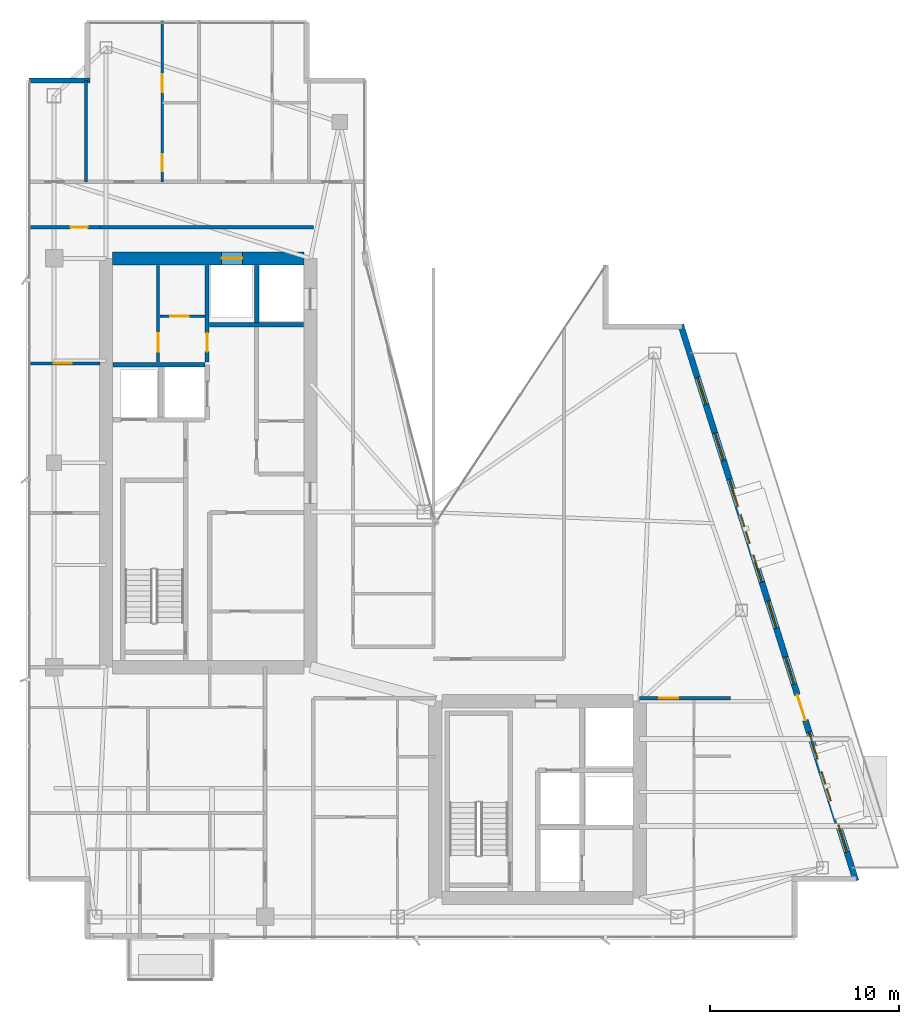
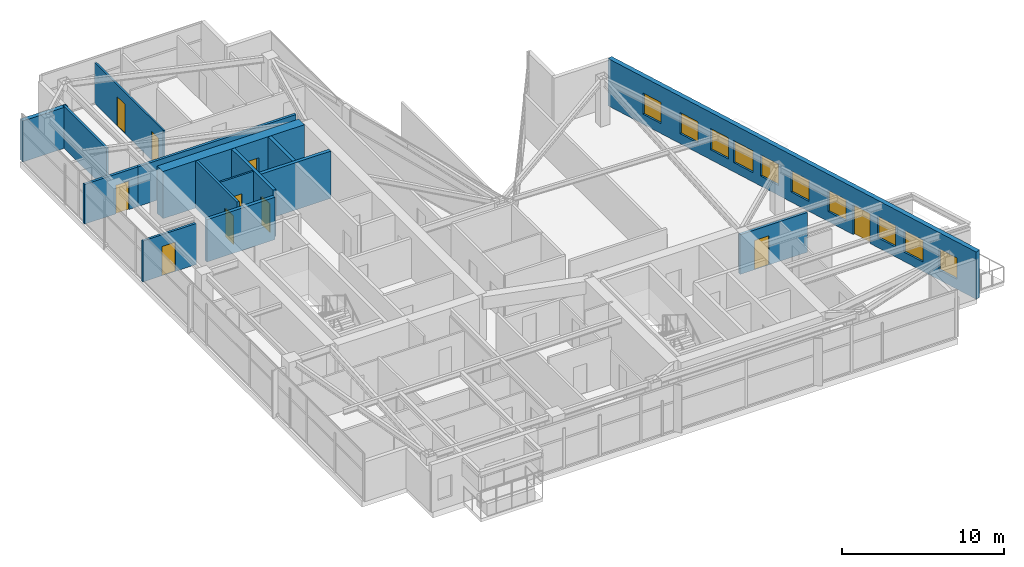
# One storey, part 25 of 28: 15 walls, 10 doors, 10 windows, 20 openings.
"""IFC4 building model written with IfcOpenShell, lengths in metres."""

from ifc_helpers import new_model, si_unit, direction, frame, frame_2d, origin, place, context, subcontext, project, spatial, rectangle, extrude, material, layer, layer_set, type_object, element, fill, save


model = new_model("IFC4")

# Units and contexts
model_context = context("Model", 3, precision=1e-05, world=origin(), true_north=direction((0.0, 1.0)))
body_context = subcontext(model_context, "Body", "Model", "MODEL_VIEW")
ifc_project = project(units=[si_unit("LENGTHUNIT", "METRE"), si_unit("AREAUNIT", "SQUARE_METRE"), si_unit("VOLUMEUNIT", "CUBIC_METRE"), si_unit("PLANEANGLEUNIT", "RADIAN"), si_unit("MASSUNIT", "GRAM", prefix="KILO")], contexts=[model_context])

# Site, building, storey
site_placement = place(None, origin())
site = spatial("IfcSite", under=ifc_project, at=site_placement, CompositionType="ELEMENT")
building_placement = place(site_placement, origin())
building = spatial("IfcBuilding", under=site, at=building_placement, Name="Calvorn Quay Hotel", CompositionType="ELEMENT")
storey_placement = place(building_placement, frame((0.0, 0.0, 263.5)))
storey = spatial("IfcBuildingStorey", under=building, at=storey_placement, Name="L65", CompositionType="ELEMENT", Elevation=263.5)

# Wall, opening, door
ifc_material_1 = material(Name="Concrete C45", Category="concrete")
ifc_layer_1 = layer(ifc_material_1, 0.699951171875)
ifc_layer_set_1 = layer_set([ifc_layer_1], Name="WL-CORE-700")
wall_type_1 = type_object("IfcWallType", Name="WL-CORE-700", PredefinedType="SHEAR", material=ifc_layer_set_1)
wall_1_placement = place(storey_placement, frame((4.550048828125, 38.39990234375, 0.0), z_axis=(0.0, 0.0, 1.0), x_axis=(1.0, 0.0, 0.0)))
wall_1 = element("IfcWall", 1, at=wall_1_placement, inside=storey, type_object=wall_type_1, Name="West Core Shear Wall N (L65)", PredefinedType="SHEAR", context=body_context, shape_type="SweptSolid", body=[
    extrude(rectangle(XDim=10.099853515625, YDim=0.699951171875, at=frame_2d((5.0498046875, 0.0))), origin(), (0.0, 0.0, 1.0), 3.56005859375),
])
opening_1_placement = place(wall_1_placement, frame((5.75, 0.0, 0.0)))
opening_1 = element("IfcOpeningElement", 2, at=opening_1_placement, cuts=wall_1, Name="Opening LD-L65-H2", PredefinedType="OPENING", context=body_context, shape_type="SweptSolid", body=[
    extrude(rectangle(XDim=1.10009765625, YDim=2.199951171875, at=frame_2d((0.550048828125, 1.10009765625))), frame((0.0, 0.35986328125, 0.0), z_axis=(0.0, -1.0, 0.0), x_axis=(1.0, 0.0, 0.0)), (0.0, 0.0, 1.0), 0.719970703125),
])
ifc_material_2 = material(Name="Brushed Stainless Steel Sliding Lift Landing Door", Category="steel")
door_type_1 = type_object("IfcDoorType", Name="DR-LIFT-PASS-1100", OperationType="NOTDEFINED", PredefinedType="DOOR", material=ifc_material_2)
door_1_placement = place(opening_1_placement, origin())
door_1 = element("IfcDoor", 3, at=door_1_placement, inside=storey, type_object=door_type_1, Name="High-Rise Lift PL-H2 Landing Door (L65)", OperationType="DOUBLE_DOOR_SLIDING", OverallHeight=2.199951171875, OverallWidth=1.10009765625, PredefinedType="DOOR", context=body_context, shape_type="SweptSolid", body=[
    extrude(rectangle(XDim=1.10009765625, YDim=2.199951171875, at=frame_2d((0.550048828125, 1.10009765625))), frame((0.0, 0.02490234375, 0.0), z_axis=(0.0, -1.0, 0.0), x_axis=(1.0, 0.0, 0.0)), (0.0, 0.0, 1.0), 0.050048828125),
])
fill(opening_1, door_1)

ifc_material_3 = material(Name="Acoustic Fireboard Steel-Stud Partition", Category="steel")
ifc_layer_2 = layer(ifc_material_3, 0.179931640625)
ifc_layer_set_2 = layer_set([ifc_layer_2], Name="WL-CORR-FIRE-180")
wall_type_2 = type_object("IfcWallType", Name="WL-CORR-FIRE-180", PredefinedType="PARTITIONING", material=ifc_layer_set_2)
wall_2_placement = place(storey_placement, frame((0.080078125, 40.050048828125, 0.0), z_axis=(0.0, 0.0, 1.0), x_axis=(1.0, 0.0, 0.0)))
wall_2 = element("IfcWall", 4, at=wall_2_placement, inside=storey, type_object=wall_type_2, Name="Partition Wall L65-WL-WBAY-N-DOOR", PredefinedType="PARTITIONING", context=body_context, shape_type="SweptSolid", body=[
    extrude(rectangle(XDim=3.7998046875, YDim=0.179931640625, at=frame_2d((1.89990234375, 0.0))), origin(), (0.0, 0.0, 1.0), 2.989990234375),
])
opening_2_placement = place(wall_2_placement, frame((2.25, 0.0, 0.0)))
opening_2 = element("IfcOpeningElement", 5, at=opening_2_placement, cuts=wall_2, Name="Opening D-L65-WBN", PredefinedType="OPENING", context=body_context, shape_type="SweptSolid", body=[
    extrude(rectangle(XDim=0.89990234375, YDim=2.14990234375, at=frame_2d((0.449951171875, 1.074951171875))), frame((0.0, 0.099853515625, 0.0), z_axis=(0.0, -1.0, 0.0), x_axis=(1.0, 0.0, 0.0)), (0.0, 0.0, 1.0), 0.199951171875),
])
ifc_material_4 = material(Name="Moisture-Sealed Timber En-Suite Door", Category="wood")
door_type_2 = type_object("IfcDoorType", Name="DR-ENSUITE-900", OperationType="NOTDEFINED", PredefinedType="DOOR", material=ifc_material_4)
door_2_placement = place(opening_2_placement, origin())
door_2 = element("IfcDoor", 6, at=door_2_placement, inside=storey, type_object=door_type_2, Name="West North Bay Door (L65)", OperationType="SINGLE_SWING_LEFT", OverallHeight=2.14990234375, OverallWidth=0.89990234375, PredefinedType="DOOR", context=body_context, shape_type="SweptSolid", body=[
    extrude(rectangle(XDim=0.89990234375, YDim=2.14990234375, at=frame_2d((0.449951171875, 1.074951171875))), frame((0.0, 0.02490234375, 0.0), z_axis=(0.0, -1.0, 0.0), x_axis=(1.0, 0.0, 0.0)), (0.0, 0.0, 1.0), 0.050048828125),
])
fill(opening_2, door_2)

# Wall
wall_3_placement = place(storey_placement, frame((3.830078125, 40.050048828125, 0.0), z_axis=(0.0, 0.0, 1.0), x_axis=(1.0, 0.0, 0.0)))
element("IfcWall", 7, at=wall_3_placement, inside=storey, type_object=wall_type_2, Name="Partition Wall L65-WL-W-SPUR-S", PredefinedType="PARTITIONING", context=body_context, shape_type="SweptSolid", body=[
    extrude(rectangle(XDim=11.31982421875, YDim=0.179931640625, at=frame_2d((5.659912109375, 0.0))), origin(), (0.0, 0.0, 1.0), 2.989990234375),
])

# Wall, opening, door
wall_4_placement = place(storey_placement, frame((32.39990234375, 15.14990234375, 0.0), z_axis=(0.0, 0.0, 1.0), x_axis=(1.0, 0.0, 0.0)))
wall_4 = element("IfcWall", 8, at=wall_4_placement, inside=storey, type_object=wall_type_2, Name="Partition Wall L65-WL-CORR-SE-S", PredefinedType="PARTITIONING", context=body_context, shape_type="SweptSolid", body=[
    extrude(rectangle(XDim=4.800048828125, YDim=0.179931640625, at=frame_2d((2.39990234375, 0.0))), origin(), (0.0, 0.0, 1.0), 2.989990234375),
])
opening_3_placement = place(wall_4_placement, frame((1.030029296875, 0.0, 0.0)))
opening_3 = element("IfcOpeningElement", 9, at=opening_3_placement, cuts=wall_4, Name="Opening D-L65-U06", PredefinedType="OPENING", context=body_context, shape_type="SweptSolid", body=[
    extrude(rectangle(XDim=1.02001953125, YDim=2.199951171875, at=frame_2d((0.510009765625, 1.10009765625))), frame((0.0, 0.099853515625, 0.0), z_axis=(0.0, -1.0, 0.0), x_axis=(1.0, 0.0, 0.0)), (0.0, 0.0, 1.0), 0.199951171875),
])
ifc_material_5 = material(Name="Solid-Core Walnut Veneer Hotel Fire Door")
door_type_3 = type_object("IfcDoorType", Name="DR-GUEST-ENTRY-1020", OperationType="NOTDEFINED", PredefinedType="DOOR", material=ifc_material_5)
door_3_placement = place(opening_3_placement, origin())
door_3 = element("IfcDoor", 10, at=door_3_placement, inside=storey, type_object=door_type_3, Name="South-East Unit Door U06 (L65)", OperationType="SINGLE_SWING_LEFT", OverallHeight=2.199951171875, OverallWidth=1.02001953125, PredefinedType="DOOR", context=body_context, shape_type="SweptSolid", body=[
    extrude(rectangle(XDim=1.02001953125, YDim=2.199951171875, at=frame_2d((0.510009765625, 1.10009765625))), frame((0.0, 0.02490234375, 0.0), z_axis=(0.0, -1.0, 0.0), x_axis=(1.0, 0.0, 0.0)), (0.0, 0.0, 1.0), 0.050048828125),
])
fill(opening_3, door_3)

ifc_material_6 = material(Name="Moisture-Resistant Tile-Backed Partition")
ifc_layer_3 = layer(ifc_material_6, 0.125)
ifc_layer_set_3 = layer_set([ifc_layer_3], Name="WL-ENSUITE-125")
wall_type_3 = type_object("IfcWallType", Name="WL-ENSUITE-125", PredefinedType="PARTITIONING", material=ifc_layer_set_3)
wall_5_placement = place(storey_placement, frame((7.050048828125, 35.35009765625, 0.0), z_axis=(0.0, 0.0, 1.0), x_axis=(1.0, 0.0, 0.0)))
wall_5 = element("IfcWall", 11, at=wall_5_placement, inside=storey, type_object=wall_type_3, Name="Partition Wall L65-WL-CWW-K-H", PredefinedType="PARTITIONING", context=body_context, shape_type="SweptSolid", body=[
    extrude(rectangle(XDim=2.369873046875, YDim=0.125, at=frame_2d((1.18505859375, 0.0))), origin(), (0.0, 0.0, 1.0), 3.56005859375),
])
opening_4_placement = place(wall_5_placement, frame((0.550048828125, 0.0, 0.0)))
opening_4 = element("IfcOpeningElement", 12, at=opening_4_placement, cuts=wall_5, Name="Opening D-L65-CK3", PredefinedType="OPENING", context=body_context, shape_type="SweptSolid", body=[
    extrude(rectangle(XDim=0.97998046875, YDim=2.14990234375, at=frame_2d((0.489990234375, 1.074951171875))), frame((0.0, 0.072509765625, 0.0), z_axis=(0.0, -1.0, 0.0), x_axis=(1.0, 0.0, 0.0)), (0.0, 0.0, 1.0), 0.14501953125),
])
ifc_material_7 = material(Name="Painted Steel Housekeeping/Riser Fire Door", Category="steel")
door_type_4 = type_object("IfcDoorType", Name="DR-SERVICE-980", OperationType="NOTDEFINED", PredefinedType="DOOR", material=ifc_material_7)
door_4_placement = place(opening_4_placement, origin())
door_4 = element("IfcDoor", 13, at=door_4_placement, inside=storey, type_object=door_type_4, Name="Telecom Closet Door (L65)", OperationType="SINGLE_SWING_RIGHT", OverallHeight=2.14990234375, OverallWidth=0.97998046875, PredefinedType="DOOR", context=body_context, shape_type="SweptSolid", body=[
    extrude(rectangle(XDim=0.97998046875, YDim=2.14990234375, at=frame_2d((0.489990234375, 1.074951171875))), frame((0.0, 0.02490234375, 0.0), z_axis=(0.0, -1.0, 0.0), x_axis=(1.0, 0.0, 0.0)), (0.0, 0.0, 1.0), 0.050048828125),
])
fill(opening_4, door_4)

# Wall, openings, doors
wall_6_placement = place(storey_placement, frame((7.169921875, 42.449951171875, 0.0), z_axis=(0.0, 0.0, 1.0), x_axis=(0.0, 1.0, 0.0)))
wall_6 = element("IfcWall", 14, at=wall_6_placement, inside=storey, type_object=wall_type_3, Name="Partition Wall L65-WL-U04-BV", PredefinedType="PARTITIONING", context=body_context, shape_type="SweptSolid", body=[
    extrude(rectangle(XDim=8.489990234375, YDim=0.125, at=frame_2d((4.2451171875, 0.0))), origin(), (0.0, 0.0, 1.0), 3.090087890625),
])
opening_5_placement = place(wall_6_placement, frame((0.550048828125, 0.0, 0.0)))
opening_5 = element("IfcOpeningElement", 15, at=opening_5_placement, cuts=wall_6, Name="Opening D-L65-E04", PredefinedType="OPENING", context=body_context, shape_type="SweptSolid", body=[
    extrude(rectangle(XDim=0.89990234375, YDim=2.14990234375, at=frame_2d((0.449951171875, 1.074951171875))), frame((0.0, 0.072509765625, 0.0), z_axis=(0.0, -1.0, 0.0), x_axis=(1.0, 0.0, 0.0)), (0.0, 0.0, 1.0), 0.14501953125),
])
opening_6_placement = place(wall_6_placement, frame((4.719970703125, 0.0, 0.0)))
opening_6 = element("IfcOpeningElement", 16, at=opening_6_placement, cuts=wall_6, Name="Opening D-L65-S04", PredefinedType="OPENING", context=body_context, shape_type="SweptSolid", body=[
    extrude(rectangle(XDim=0.9599609375, YDim=2.199951171875, at=frame_2d((0.47998046875, 1.10009765625))), frame((0.0, 0.072509765625, 0.0), z_axis=(0.0, -1.0, 0.0), x_axis=(1.0, 0.0, 0.0)), (0.0, 0.0, 1.0), 0.14501953125),
])
door_5_placement = place(opening_5_placement, origin())
door_5 = element("IfcDoor", 17, at=door_5_placement, inside=storey, type_object=door_type_2, Name="En-Suite Door 04", OperationType="SINGLE_SWING_LEFT", OverallHeight=2.14990234375, OverallWidth=0.89990234375, PredefinedType="DOOR", context=body_context, shape_type="SweptSolid", body=[
    extrude(rectangle(XDim=0.89990234375, YDim=2.14990234375, at=frame_2d((0.449951171875, 1.074951171875))), frame((0.0, 0.02490234375, 0.0), z_axis=(0.0, -1.0, 0.0), x_axis=(1.0, 0.0, 0.0)), (0.0, 0.0, 1.0), 0.050048828125),
])
fill(opening_5, door_5)
ifc_material_8 = material(Name="Solid Timber Internal Suite Door", Category="wood")
door_type_5 = type_object("IfcDoorType", Name="DR-SUITE-INT-960", OperationType="NOTDEFINED", PredefinedType="DOOR", material=ifc_material_8)
door_6_placement = place(opening_6_placement, origin())
door_6 = element("IfcDoor", 18, at=door_6_placement, inside=storey, type_object=door_type_5, Name="Harbour Dining Den Door 04", OperationType="SINGLE_SWING_RIGHT", OverallHeight=2.199951171875, OverallWidth=0.9599609375, PredefinedType="DOOR", context=body_context, shape_type="SweptSolid", body=[
    extrude(rectangle(XDim=0.9599609375, YDim=2.199951171875, at=frame_2d((0.47998046875, 1.10009765625))), frame((0.0, 0.02490234375, 0.0), z_axis=(0.0, -1.0, 0.0), x_axis=(1.0, 0.0, 0.0)), (0.0, 0.0, 1.0), 0.050048828125),
])
fill(opening_6, door_6)

# Wall
ifc_material_9 = material(Name="Concrete C40", Category="concrete")
ifc_layer_4 = layer(ifc_material_9, 0.320068359375)
ifc_layer_set_4 = layer_set([ifc_layer_4], Name="WL-EXT-SPANDREL-320")
wall_type_4 = type_object("IfcWallType", Name="WL-EXT-SPANDREL-320", PredefinedType="SOLIDWALL", material=ifc_layer_set_4)
wall_7_placement = place(storey_placement, frame((3.340087890625, 47.800048828125, 0.0), z_axis=(0.0, 0.0, 1.0), x_axis=(-1.0, 0.0, 0.0)))
element("IfcWall", 19, at=wall_7_placement, inside=storey, type_object=wall_type_4, Name="Notched Corner Spandrel L65-NW2", PredefinedType="SOLIDWALL", context=body_context, shape_type="SweptSolid", body=[
    extrude(rectangle(XDim=3.219970703125, YDim=0.280029296875, at=frame_2d((1.60986328125, 0.0))), origin(), (0.0, 0.0, 1.0), 3.090087890625),
])

# Wall, openings, door, windows
wall_8_placement = place(storey_placement, frame((43.830078125, 5.5048828125, 0.0), z_axis=(0.0, 0.0, 1.0), x_axis=(-0.300509063924, 0.953778958931, 0.0)))
wall_8 = element("IfcWall", 20, at=wall_8_placement, inside=storey, type_object=wall_type_4, Name="East Stepped Waterfront Exterior Wall (L65)", PredefinedType="SOLIDWALL", context=body_context, shape_type="SweptSolid", body=[
    extrude(rectangle(XDim=30.814453125, YDim=0.320068359375, at=frame_2d((15.4072265625, 0.0))), origin(), (0.0, 0.0, 1.0), 3.56005859375),
])
opening_7_placement = place(wall_8_placement, frame((8.89990234375, 0.0, 0.0)))
opening_7 = element("IfcOpeningElement", 21, at=opening_7_placement, cuts=wall_8, Name="Opening DTR-L65", PredefinedType="OPENING", context=body_context, shape_type="SweptSolid", body=[
    extrude(rectangle(XDim=1.39990234375, YDim=2.25, at=frame_2d((0.699951171875, 1.125))), frame((0.0, 0.169921875, 0.0), z_axis=(0.0, -1.0, 0.0), x_axis=(1.0, 0.0, 0.0)), (0.0, 0.0, 1.0), 0.340087890625),
])
opening_8_placement = place(wall_8_placement, frame((4.43701171875, 0.0, 0.699951171875)))
opening_8 = element("IfcOpeningElement", 22, at=opening_8_placement, cuts=wall_8, Name="Opening WHD-L65-1", PredefinedType="OPENING", context=body_context, shape_type="SweptSolid", body=[
    extrude(rectangle(XDim=1.60009765625, YDim=1.64990234375, at=frame_2d((0.800048828125, 0.824951171875))), frame((0.0, 0.169921875, 0.0), z_axis=(0.0, -1.0, 0.0), x_axis=(1.0, 0.0, 0.0)), (0.0, 0.0, 1.0), 0.340087890625),
])
opening_9_placement = place(wall_8_placement, frame((18.696044921875, 0.0, 0.699951171875)))
opening_9 = element("IfcOpeningElement", 23, at=opening_9_placement, cuts=wall_8, Name="Opening WHD-L65-2", PredefinedType="OPENING", context=body_context, shape_type="SweptSolid", body=[
    extrude(rectangle(XDim=1.60009765625, YDim=1.64990234375, at=frame_2d((0.800048828125, 0.824951171875))), frame((0.0, 0.169921875, 0.0), z_axis=(0.0, -1.0, 0.0), x_axis=(1.0, 0.0, 0.0)), (0.0, 0.0, 1.0), 0.340087890625),
])
opening_10_placement = place(wall_8_placement, frame((1.60009765625, 0.0, 0.75)))
opening_10 = element("IfcOpeningElement", 24, at=opening_10_placement, cuts=wall_8, Name="Opening WG-L65-E1", PredefinedType="OPENING", context=body_context, shape_type="SweptSolid", body=[
    extrude(rectangle(XDim=1.5, YDim=1.60009765625, at=frame_2d((0.75, 0.800048828125))), frame((0.0, 0.169921875, 0.0), z_axis=(0.0, -1.0, 0.0), x_axis=(1.0, 0.0, 0.0)), (0.0, 0.0, 1.0), 0.340087890625),
])
opening_11_placement = place(wall_8_placement, frame((6.75, 0.0, 0.75)))
opening_11 = element("IfcOpeningElement", 25, at=opening_11_placement, cuts=wall_8, Name="Opening WG-L65-E2", PredefinedType="OPENING", context=body_context, shape_type="SweptSolid", body=[
    extrude(rectangle(XDim=1.5, YDim=1.60009765625, at=frame_2d((0.75, 0.800048828125))), frame((0.0, 0.169921875, 0.0), z_axis=(0.0, -1.0, 0.0), x_axis=(1.0, 0.0, 0.0)), (0.0, 0.0, 1.0), 0.340087890625),
])
opening_12_placement = place(wall_8_placement, frame((10.89990234375, 0.0, 0.75)))
opening_12 = element("IfcOpeningElement", 26, at=opening_12_placement, cuts=wall_8, Name="Opening WG-L65-E3", PredefinedType="OPENING", context=body_context, shape_type="SweptSolid", body=[
    extrude(rectangle(XDim=1.5, YDim=1.60009765625, at=frame_2d((0.75, 0.800048828125))), frame((0.0, 0.169921875, 0.0), z_axis=(0.0, -1.0, 0.0), x_axis=(1.0, 0.0, 0.0)), (0.0, 0.0, 1.0), 0.340087890625),
])
opening_13_placement = place(wall_8_placement, frame((14.0, 0.0, 0.75)))
opening_13 = element("IfcOpeningElement", 27, at=opening_13_placement, cuts=wall_8, Name="Opening WG-L65-E4", PredefinedType="OPENING", context=body_context, shape_type="SweptSolid", body=[
    extrude(rectangle(XDim=1.5, YDim=1.60009765625, at=frame_2d((0.75, 0.800048828125))), frame((0.0, 0.169921875, 0.0), z_axis=(0.0, -1.0, 0.0), x_axis=(1.0, 0.0, 0.0)), (0.0, 0.0, 1.0), 0.340087890625),
])
opening_14_placement = place(wall_8_placement, frame((16.550048828125, 0.0, 0.75)))
opening_14 = element("IfcOpeningElement", 28, at=opening_14_placement, cuts=wall_8, Name="Opening WG-L65-E5", PredefinedType="OPENING", context=body_context, shape_type="SweptSolid", body=[
    extrude(rectangle(XDim=1.5, YDim=1.60009765625, at=frame_2d((0.75, 0.800048828125))), frame((0.0, 0.169921875, 0.0), z_axis=(0.0, -1.0, 0.0), x_axis=(1.0, 0.0, 0.0)), (0.0, 0.0, 1.0), 0.340087890625),
])
opening_15_placement = place(wall_8_placement, frame((20.75, 0.0, 0.75)))
opening_15 = element("IfcOpeningElement", 29, at=opening_15_placement, cuts=wall_8, Name="Opening WG-L65-E6", PredefinedType="OPENING", context=body_context, shape_type="SweptSolid", body=[
    extrude(rectangle(XDim=1.5, YDim=1.60009765625, at=frame_2d((0.75, 0.800048828125))), frame((0.0, 0.169921875, 0.0), z_axis=(0.0, -1.0, 0.0), x_axis=(1.0, 0.0, 0.0)), (0.0, 0.0, 1.0), 0.340087890625),
])
opening_16_placement = place(wall_8_placement, frame((23.300048828125, 0.0, 0.75)))
opening_16 = element("IfcOpeningElement", 30, at=opening_16_placement, cuts=wall_8, Name="Opening WG-L65-E7", PredefinedType="OPENING", context=body_context, shape_type="SweptSolid", body=[
    extrude(rectangle(XDim=1.5, YDim=1.60009765625, at=frame_2d((0.75, 0.800048828125))), frame((0.0, 0.169921875, 0.0), z_axis=(0.0, -1.0, 0.0), x_axis=(1.0, 0.0, 0.0)), (0.0, 0.0, 1.0), 0.340087890625),
])
opening_17_placement = place(wall_8_placement, frame((26.39990234375, 0.0, 0.75)))
opening_17 = element("IfcOpeningElement", 31, at=opening_17_placement, cuts=wall_8, Name="Opening WG-L65-E8", PredefinedType="OPENING", context=body_context, shape_type="SweptSolid", body=[
    extrude(rectangle(XDim=1.5, YDim=1.60009765625, at=frame_2d((0.75, 0.800048828125))), frame((0.0, 0.169921875, 0.0), z_axis=(0.0, -1.0, 0.0), x_axis=(1.0, 0.0, 0.0)), (0.0, 0.0, 1.0), 0.340087890625),
])
ifc_material_10 = material(Name="Typhoon-Rated Low-E Aluminium Terrace Door", Category="aluminium")
door_type_6 = type_object("IfcDoorType", Name="DR-BALCONY-GLZ-1400", OperationType="NOTDEFINED", PredefinedType="DOOR", material=ifc_material_10)
door_7_placement = place(opening_7_placement, origin())
door_7 = element("IfcDoor", 32, at=door_7_placement, inside=storey, type_object=door_type_6, Name="Sawtooth Setback Terrace Door (L65)", OperationType="SINGLE_SWING_RIGHT", OverallHeight=2.25, OverallWidth=1.39990234375, PredefinedType="DOOR", context=body_context, shape_type="SweptSolid", body=[
    extrude(rectangle(XDim=1.39990234375, YDim=2.25, at=frame_2d((0.699951171875, 1.125))), frame((0.0, 0.02490234375, 0.0), z_axis=(0.0, -1.0, 0.0), x_axis=(1.0, 0.0, 0.0)), (0.0, 0.0, 1.0), 0.050048828125),
])
fill(opening_7, door_7)
ifc_material_11 = material(Name="Champagne-Bronze Aluminium Low-E Window", Category="aluminium")
window_type_1 = type_object("IfcWindowType", Name="WIN-GUEST-SIDE-1600x2100", PartitioningType="SINGLE_PANEL", PredefinedType="WINDOW", material=ifc_material_11)
window_1_placement = place(opening_8_placement, origin())
window_1 = element("IfcWindow", 33, at=window_1_placement, inside=storey, type_object=window_type_1, Name="Bay Hood Window L65-HOOD-1", OverallHeight=1.64990234375, OverallWidth=1.60009765625, PartitioningType="SINGLE_PANEL", PredefinedType="WINDOW", context=body_context, shape_type="SweptSolid", body=[
    extrude(rectangle(XDim=1.60009765625, YDim=1.64990234375, at=frame_2d((0.800048828125, 0.824951171875))), frame((0.0, 0.030029296875, 0.0), z_axis=(0.0, -1.0, 0.0), x_axis=(1.0, 0.0, 0.0)), (0.0, 0.0, 1.0), 0.06005859375),
])
fill(opening_8, window_1)
window_2_placement = place(opening_9_placement, origin())
window_2 = element("IfcWindow", 34, at=window_2_placement, inside=storey, type_object=window_type_1, Name="Bay Hood Window L65-HOOD-3", OverallHeight=1.64990234375, OverallWidth=1.60009765625, PartitioningType="SINGLE_PANEL", PredefinedType="WINDOW", context=body_context, shape_type="SweptSolid", body=[
    extrude(rectangle(XDim=1.60009765625, YDim=1.64990234375, at=frame_2d((0.800048828125, 0.824951171875))), frame((0.0, 0.030029296875, 0.0), z_axis=(0.0, -1.0, 0.0), x_axis=(1.0, 0.0, 0.0)), (0.0, 0.0, 1.0), 0.06005859375),
])
fill(opening_9, window_2)
ifc_material_12 = material(Name="Self-Closing Class B Fire Window")
window_type_2 = type_object("IfcWindowType", Name="WIN-REFUGE-1500x1600", PartitioningType="SINGLE_PANEL", PredefinedType="WINDOW", material=ifc_material_12)
window_3_placement = place(opening_10_placement, origin())
window_3 = element("IfcWindow", 35, at=window_3_placement, inside=storey, type_object=window_type_2, Name="East Facade Window L65-E1", OverallHeight=1.60009765625, OverallWidth=1.5, PartitioningType="SINGLE_PANEL", PredefinedType="WINDOW", context=body_context, shape_type="SweptSolid", body=[
    extrude(rectangle(XDim=1.5, YDim=1.60009765625, at=frame_2d((0.75, 0.800048828125))), frame((0.0, 0.030029296875, 0.0), z_axis=(0.0, -1.0, 0.0), x_axis=(1.0, 0.0, 0.0)), (0.0, 0.0, 1.0), 0.06005859375),
])
fill(opening_10, window_3)
window_4_placement = place(opening_11_placement, origin())
window_4 = element("IfcWindow", 36, at=window_4_placement, inside=storey, type_object=window_type_2, Name="East Facade Window L65-E2", OverallHeight=1.60009765625, OverallWidth=1.5, PartitioningType="SINGLE_PANEL", PredefinedType="WINDOW", context=body_context, shape_type="SweptSolid", body=[
    extrude(rectangle(XDim=1.5, YDim=1.60009765625, at=frame_2d((0.75, 0.800048828125))), frame((0.0, 0.030029296875, 0.0), z_axis=(0.0, -1.0, 0.0), x_axis=(1.0, 0.0, 0.0)), (0.0, 0.0, 1.0), 0.06005859375),
])
fill(opening_11, window_4)
window_5_placement = place(opening_12_placement, origin())
window_5 = element("IfcWindow", 37, at=window_5_placement, inside=storey, type_object=window_type_2, Name="East Facade Window L65-E3", OverallHeight=1.60009765625, OverallWidth=1.5, PartitioningType="SINGLE_PANEL", PredefinedType="WINDOW", context=body_context, shape_type="SweptSolid", body=[
    extrude(rectangle(XDim=1.5, YDim=1.60009765625, at=frame_2d((0.75, 0.800048828125))), frame((0.0, 0.030029296875, 0.0), z_axis=(0.0, -1.0, 0.0), x_axis=(1.0, 0.0, 0.0)), (0.0, 0.0, 1.0), 0.06005859375),
])
fill(opening_12, window_5)
window_6_placement = place(opening_13_placement, origin())
window_6 = element("IfcWindow", 38, at=window_6_placement, inside=storey, type_object=window_type_2, Name="East Facade Window L65-E4", OverallHeight=1.60009765625, OverallWidth=1.5, PartitioningType="SINGLE_PANEL", PredefinedType="WINDOW", context=body_context, shape_type="SweptSolid", body=[
    extrude(rectangle(XDim=1.5, YDim=1.60009765625, at=frame_2d((0.75, 0.800048828125))), frame((0.0, 0.030029296875, 0.0), z_axis=(0.0, -1.0, 0.0), x_axis=(1.0, 0.0, 0.0)), (0.0, 0.0, 1.0), 0.06005859375),
])
fill(opening_13, window_6)
window_7_placement = place(opening_14_placement, origin())
window_7 = element("IfcWindow", 39, at=window_7_placement, inside=storey, type_object=window_type_2, Name="East Facade Window L65-E5", OverallHeight=1.60009765625, OverallWidth=1.5, PartitioningType="SINGLE_PANEL", PredefinedType="WINDOW", context=body_context, shape_type="SweptSolid", body=[
    extrude(rectangle(XDim=1.5, YDim=1.60009765625, at=frame_2d((0.75, 0.800048828125))), frame((0.0, 0.030029296875, 0.0), z_axis=(0.0, -1.0, 0.0), x_axis=(1.0, 0.0, 0.0)), (0.0, 0.0, 1.0), 0.06005859375),
])
fill(opening_14, window_7)
window_8_placement = place(opening_15_placement, origin())
window_8 = element("IfcWindow", 40, at=window_8_placement, inside=storey, type_object=window_type_2, Name="East Facade Window L65-E6", OverallHeight=1.60009765625, OverallWidth=1.5, PartitioningType="SINGLE_PANEL", PredefinedType="WINDOW", context=body_context, shape_type="SweptSolid", body=[
    extrude(rectangle(XDim=1.5, YDim=1.60009765625, at=frame_2d((0.75, 0.800048828125))), frame((0.0, 0.030029296875, 0.0), z_axis=(0.0, -1.0, 0.0), x_axis=(1.0, 0.0, 0.0)), (0.0, 0.0, 1.0), 0.06005859375),
])
fill(opening_15, window_8)
window_9_placement = place(opening_16_placement, origin())
window_9 = element("IfcWindow", 41, at=window_9_placement, inside=storey, type_object=window_type_2, Name="East Facade Window L65-E7", OverallHeight=1.60009765625, OverallWidth=1.5, PartitioningType="SINGLE_PANEL", PredefinedType="WINDOW", context=body_context, shape_type="SweptSolid", body=[
    extrude(rectangle(XDim=1.5, YDim=1.60009765625, at=frame_2d((0.75, 0.800048828125))), frame((0.0, 0.030029296875, 0.0), z_axis=(0.0, -1.0, 0.0), x_axis=(1.0, 0.0, 0.0)), (0.0, 0.0, 1.0), 0.06005859375),
])
fill(opening_16, window_9)
window_10_placement = place(opening_17_placement, origin())
window_10 = element("IfcWindow", 42, at=window_10_placement, inside=storey, type_object=window_type_2, Name="East Facade Window L65-E8", OverallHeight=1.60009765625, OverallWidth=1.5, PartitioningType="SINGLE_PANEL", PredefinedType="WINDOW", context=body_context, shape_type="SweptSolid", body=[
    extrude(rectangle(XDim=1.5, YDim=1.60009765625, at=frame_2d((0.75, 0.800048828125))), frame((0.0, 0.030029296875, 0.0), z_axis=(0.0, -1.0, 0.0), x_axis=(1.0, 0.0, 0.0)), (0.0, 0.0, 1.0), 0.06005859375),
])
fill(opening_17, window_10)

# Wall, opening, door
ifc_material_13 = material(Name="Double-Stud Acoustic Gypsum Partition")
ifc_layer_5 = layer(ifc_material_13, 0.159912109375)
ifc_layer_set_5 = layer_set([ifc_layer_5], Name="WL-INTERSUITE-160")
wall_type_5 = type_object("IfcWallType", Name="WL-INTERSUITE-160", PredefinedType="PARTITIONING", material=ifc_layer_set_5)
wall_9_placement = place(storey_placement, frame((6.949951171875, 32.919921875, 0.0), z_axis=(0.0, 0.0, 1.0), x_axis=(0.0, 1.0, 0.0)))
wall_9 = element("IfcWall", 43, at=wall_9_placement, inside=storey, type_object=wall_type_5, Name="Partition Wall L65-WL-CWW-K-V", PredefinedType="PARTITIONING", context=body_context, shape_type="SweptSolid", body=[
    extrude(rectangle(XDim=5.110107421875, YDim=0.159912109375, at=frame_2d((2.55517578125, 0.0))), origin(), (0.0, 0.0, 1.0), 3.56005859375),
])
opening_18_placement = place(wall_9_placement, frame((0.550048828125, 0.0, 0.0)))
opening_18 = element("IfcOpeningElement", 44, at=opening_18_placement, cuts=wall_9, Name="Opening D-L65-CK1", PredefinedType="OPENING", context=body_context, shape_type="SweptSolid", body=[
    extrude(rectangle(XDim=0.97998046875, YDim=2.14990234375, at=frame_2d((0.489990234375, 1.074951171875))), frame((0.0, 0.08984375, 0.0), z_axis=(0.0, -1.0, 0.0), x_axis=(1.0, 0.0, 0.0)), (0.0, 0.0, 1.0), 0.179931640625),
])
door_8_placement = place(opening_18_placement, origin())
door_8 = element("IfcDoor", 45, at=door_8_placement, inside=storey, type_object=door_type_4, Name="Pipe Riser Door (L65)", OperationType="SINGLE_SWING_LEFT", OverallHeight=2.14990234375, OverallWidth=0.97998046875, PredefinedType="DOOR", context=body_context, shape_type="SweptSolid", body=[
    extrude(rectangle(XDim=0.97998046875, YDim=2.14990234375, at=frame_2d((0.489990234375, 1.074951171875))), frame((0.0, 0.02490234375, 0.0), z_axis=(0.0, -1.0, 0.0), x_axis=(1.0, 0.0, 0.0)), (0.0, 0.0, 1.0), 0.050048828125),
])
fill(opening_18, door_8)

wall_10_placement = place(storey_placement, frame((0.080078125, 32.85009765625, 0.0), z_axis=(0.0, 0.0, 1.0), x_axis=(1.0, 0.0, 0.0)))
wall_10 = element("IfcWall", 46, at=wall_10_placement, inside=storey, type_object=wall_type_5, Name="Partition Wall L65-WL-WBAY-DIVB", PredefinedType="PARTITIONING", context=body_context, shape_type="SweptSolid", body=[
    extrude(rectangle(XDim=3.7998046875, YDim=0.159912109375, at=frame_2d((1.89990234375, 0.0))), origin(), (0.0, 0.0, 1.0), 3.090087890625),
])
opening_19_placement = place(wall_10_placement, frame((1.35009765625, 0.0, 0.0)))
opening_19 = element("IfcOpeningElement", 47, at=opening_19_placement, cuts=wall_10, Name="Opening D-L65-WBB", PredefinedType="OPENING", context=body_context, shape_type="SweptSolid", body=[
    extrude(rectangle(XDim=0.9599609375, YDim=2.199951171875, at=frame_2d((0.47998046875, 1.10009765625))), frame((0.0, 0.08984375, 0.0), z_axis=(0.0, -1.0, 0.0), x_axis=(1.0, 0.0, 0.0)), (0.0, 0.0, 1.0), 0.179931640625),
])
door_9_placement = place(opening_19_placement, origin())
door_9 = element("IfcDoor", 48, at=door_9_placement, inside=storey, type_object=door_type_5, Name="West North Connecting Door (L65)", OperationType="SINGLE_SWING_RIGHT", OverallHeight=2.199951171875, OverallWidth=0.9599609375, PredefinedType="DOOR", context=body_context, shape_type="SweptSolid", body=[
    extrude(rectangle(XDim=0.9599609375, YDim=2.199951171875, at=frame_2d((0.47998046875, 1.10009765625))), frame((0.0, 0.02490234375, 0.0), z_axis=(0.0, -1.0, 0.0), x_axis=(1.0, 0.0, 0.0)), (0.0, 0.0, 1.0), 0.050048828125),
])
fill(opening_19, door_9)

# Wall
wall_11_placement = place(storey_placement, frame((3.14990234375, 42.449951171875, 0.0), z_axis=(0.0, 0.0, 1.0), x_axis=(0.0, 1.0, 0.0)))
element("IfcWall", 49, at=wall_11_placement, inside=storey, type_object=wall_type_5, Name="Partition Wall L65-WL-NW-DIV-W0", PredefinedType="PARTITIONING", context=body_context, shape_type="SweptSolid", body=[
    extrude(rectangle(XDim=5.35009765625, YDim=0.159912109375, at=frame_2d((2.675048828125, 0.0))), origin(), (0.0, 0.0, 1.0), 3.139892578125),
])

# Wall, opening, door
ifc_material_14 = material(Name="Autoclaved Aerated Masonry Block", Category="masonry")
ifc_layer_6 = layer(ifc_material_14, 0.219970703125)
ifc_layer_set_6 = layer_set([ifc_layer_6], Name="WL-LOBBY-FIRE-220")
wall_type_6 = type_object("IfcWallType", Name="WL-LOBBY-FIRE-220", PredefinedType="SOLIDWALL", material=ifc_layer_set_6)
wall_12_placement = place(storey_placement, frame((9.5400390625, 32.919921875, 0.0), z_axis=(0.0, 0.0, 1.0), x_axis=(0.0, 1.0, 0.0)))
wall_12 = element("IfcWall", 50, at=wall_12_placement, inside=storey, type_object=wall_type_6, Name="Partition Wall L65-WL-CWW-K-E", PredefinedType="SOLIDWALL", context=body_context, shape_type="SweptSolid", body=[
    extrude(rectangle(XDim=5.110107421875, YDim=0.219970703125, at=frame_2d((2.55517578125, 0.0))), origin(), (0.0, 0.0, 1.0), 3.56005859375),
])
opening_20_placement = place(wall_12_placement, frame((0.550048828125, 0.0, 0.0)))
opening_20 = element("IfcOpeningElement", 51, at=opening_20_placement, cuts=wall_12, Name="Opening D-L65-CK2", PredefinedType="OPENING", context=body_context, shape_type="SweptSolid", body=[
    extrude(rectangle(XDim=0.97998046875, YDim=2.14990234375, at=frame_2d((0.489990234375, 1.074951171875))), frame((0.0, 0.119873046875, 0.0), z_axis=(0.0, -1.0, 0.0), x_axis=(1.0, 0.0, 0.0)), (0.0, 0.0, 1.0), 0.239990234375),
])
door_10_placement = place(opening_20_placement, origin())
door_10 = element("IfcDoor", 52, at=door_10_placement, inside=storey, type_object=door_type_4, Name="Valet Closet Door (L65)", OperationType="SINGLE_SWING_LEFT", OverallHeight=2.14990234375, OverallWidth=0.97998046875, PredefinedType="DOOR", context=body_context, shape_type="SweptSolid", body=[
    extrude(rectangle(XDim=0.97998046875, YDim=2.14990234375, at=frame_2d((0.489990234375, 1.074951171875))), frame((0.0, 0.02490234375, 0.0), z_axis=(0.0, -1.0, 0.0), x_axis=(1.0, 0.0, 0.0)), (0.0, 0.0, 1.0), 0.050048828125),
])
fill(opening_20, door_10)

# Walls
ifc_material_15 = material(Name="Concrete C40", Category="concrete")
ifc_layer_7 = layer(ifc_material_15, 0.239990234375)
ifc_layer_set_7 = layer_set([ifc_layer_7], Name="WL-SHAFT-240")
wall_type_7 = type_object("IfcWallType", Name="WL-SHAFT-240", PredefinedType="SOLIDWALL", material=ifc_layer_set_7)
wall_13_placement = place(storey_placement, frame((4.570068359375, 32.780029296875, 0.0), z_axis=(0.0, 0.0, 1.0), x_axis=(1.0, 0.0, 0.0)))
element("IfcWall", 53, at=wall_13_placement, inside=storey, type_object=wall_type_7, Name="Partition Wall L65-WL-CWW-SLW-N", PredefinedType="SOLIDWALL", context=body_context, shape_type="SweptSolid", body=[
    extrude(rectangle(XDim=4.849853515625, YDim=0.239990234375, at=frame_2d((2.4248046875, 0.0))), origin(), (0.0, 0.0, 1.0), 3.18994140625),
])
wall_14_placement = place(storey_placement, frame((9.659912109375, 34.89990234375, 0.0), z_axis=(0.0, 0.0, 1.0), x_axis=(1.0, 0.0, 0.0)))
element("IfcWall", 54, at=wall_14_placement, inside=storey, type_object=wall_type_7, Name="Partition Wall L65-WL-CWW-PLH-S", PredefinedType="SOLIDWALL", context=body_context, shape_type="SweptSolid", body=[
    extrude(rectangle(XDim=4.969970703125, YDim=0.239990234375, at=frame_2d((2.48486328125, 0.0))), origin(), (0.0, 0.0, 1.0), 3.56005859375),
])
wall_15_placement = place(storey_placement, frame((12.14990234375, 35.02001953125, 0.0), z_axis=(0.0, 0.0, 1.0), x_axis=(0.0, 1.0, 0.0)))
element("IfcWall", 55, at=wall_15_placement, inside=storey, type_object=wall_type_7, Name="Partition Wall L65-WL-CWW-PLH-DIV", PredefinedType="SOLIDWALL", context=body_context, shape_type="SweptSolid", body=[
    extrude(rectangle(XDim=3.010009765625, YDim=0.239990234375, at=frame_2d((1.5048828125, 0.0))), origin(), (0.0, 0.0, 1.0), 3.56005859375),
])

save(model, "model.ifc")
